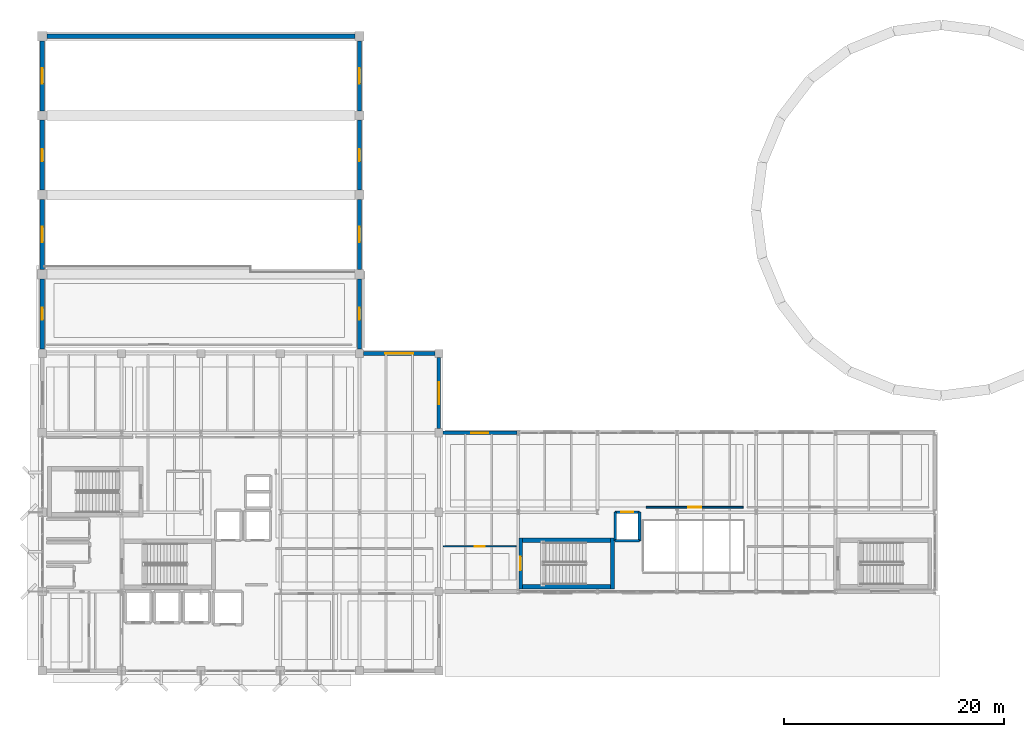
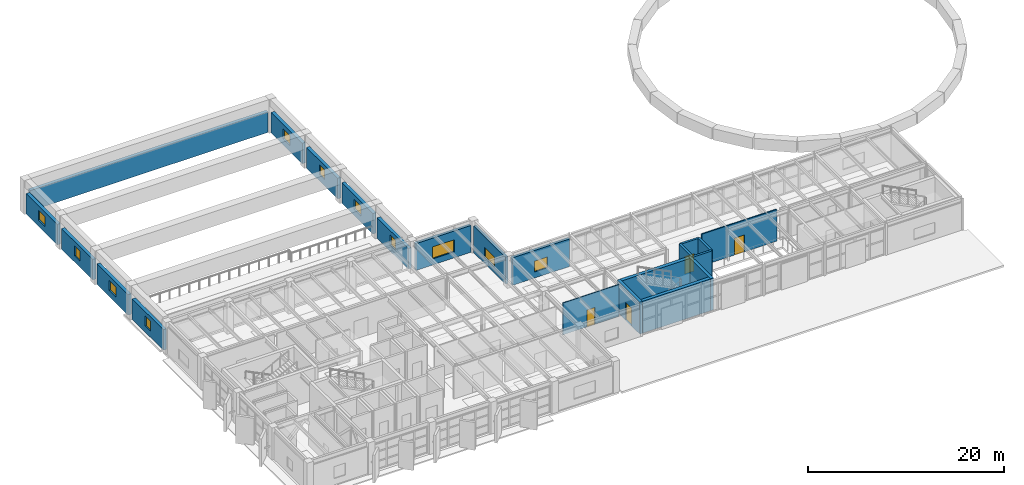
# One storey, part 27 of 37: 22 walls, 11 windows, 4 doors, 15 openings.
"""IFC4 building model written with IfcOpenShell, lengths in metres."""

import ifcopenshell
import ifcopenshell.guid

model = None  # the IFC model being written
_history = None  # IfcOwnerHistory: only IFC2X3 demands one
_inside = {}  # id of a spatial element -> (the spatial element, [elements in it])
_under = {}  # id of a project, library or spatial element -> (it, [spatial elements below it])
_declared = {}  # id of a project -> (the project, [libraries it declares])
_typed = {}  # id of a type object -> (the type object, [elements of that type])
_made_of = {}  # id of a material, layer set ... -> (it, [elements and type objects made of it])


def new_model(schema):
    """Start an empty IFC model of exactly this schema.

    Asked for "IFC4X3", IfcOpenShell would pick the latest addendum, in which some entities
    have other attributes; the version numbers below select the first issue.
    IFC2X3 requires an IfcOwnerHistory on every rooted entity: one is made here for all.
    """
    global model, _history
    if schema == "IFC4X3":
        model = ifcopenshell.file(schema_version=(4, 3, 0, 0))
    else:
        model = ifcopenshell.file(schema=schema)
    _inside.clear()
    _under.clear()
    _declared.clear()
    _typed.clear()
    _made_of.clear()
    _history = None
    if model.schema == "IFC2X3":
        org = make("IfcOrganization", Name="unknown")
        user = make(
            "IfcPersonAndOrganization",
            ThePerson=make("IfcPerson", FamilyName="unknown"),
            TheOrganization=org,
        )
        app = make(
            "IfcApplication",
            ApplicationDeveloper=org,
            Version="unknown",
            ApplicationFullName="unknown",
            ApplicationIdentifier="unknown",
        )
        _history = make(
            "IfcOwnerHistory",
            OwningUser=user,
            OwningApplication=app,
            ChangeAction="ADDED",
            CreationDate=0,
        )
    return model


def make(cls, **values):
    """One entity of the class cls with the attributes given. An attribute that is None is left unset."""
    return model.create_entity(
        cls, **{name: value for name, value in values.items() if value is not None}
    )


def rooted(cls, **values):
    """An entity with a GlobalId (a new one), such as an element, a storey or a relation."""
    return make(cls, GlobalId=ifcopenshell.guid.new(), OwnerHistory=_history, **values)


def si_unit(unit_type, name, prefix=None):
    """IfcSIUnit, for example si_unit("LENGTHUNIT", "METRE", prefix="MILLI")."""
    return make("IfcSIUnit", UnitType=unit_type, Prefix=prefix, Name=name)


def assignment(units):
    """IfcUnitAssignment: the units of a project."""
    return None if units is None else make("IfcUnitAssignment", Units=units)


def point(xyz):
    """IfcCartesianPoint."""
    return None if xyz is None else make("IfcCartesianPoint", Coordinates=xyz)


def direction(xyz):
    """IfcDirection."""
    return None if xyz is None else make("IfcDirection", DirectionRatios=xyz)


def frame(location, z_axis=None, x_axis=None):
    """IfcAxis2Placement3D, a coordinate frame: its origin and axes. An axis left out is left unset."""
    return make(
        "IfcAxis2Placement3D",
        Location=point(location),
        Axis=direction(z_axis),
        RefDirection=direction(x_axis),
    )


def frame_2d(location, x_axis=None):
    """IfcAxis2Placement2D, a coordinate frame in the plane: its origin and x axis."""
    return make(
        "IfcAxis2Placement2D", Location=point(location), RefDirection=direction(x_axis)
    )


def origin():
    """The frame at (0, 0, 0) with its axes left unset."""
    return frame((0.0, 0.0, 0.0))


def place(relative_to, where):
    """IfcLocalPlacement: puts the frame where relative to a parent placement (None: the world)."""
    return make(
        "IfcLocalPlacement", PlacementRelTo=relative_to, RelativePlacement=where
    )


def context(
    kind, dimensions, precision=None, world=None, true_north=None, identifier=None
):
    """IfcGeometricRepresentationContext, for example the 3D "Model" context."""
    return make(
        "IfcGeometricRepresentationContext",
        ContextIdentifier=identifier,
        ContextType=kind,
        CoordinateSpaceDimension=dimensions,
        Precision=precision,
        WorldCoordinateSystem=world,
        TrueNorth=true_north,
    )


def subcontext(parent, identifier, kind, view, scale=None):
    """IfcGeometricRepresentationSubContext, for example "Body" below "Model"."""
    return make(
        "IfcGeometricRepresentationSubContext",
        ContextIdentifier=identifier,
        ContextType=kind,
        ParentContext=parent,
        TargetScale=scale,
        TargetView=view,
    )


def project(units=None, contexts=None):
    """IfcProject with its units and contexts."""
    return rooted(
        "IfcProject",
        Name="project",
        RepresentationContexts=contexts,
        UnitsInContext=assignment(units),
    )


def spatial(cls, under=None, at=None, **own):
    """A site, building, storey or space (cls), placed at a placement, below another one or the project."""
    s = rooted(cls, ObjectPlacement=at, **own)
    if under is not None:
        _under.setdefault(under.id(), (under, []))[1].append(s)
    return s


def profile(cls, at=None, kind="AREA", **sizes):
    """A parametric profile (cls). Its sizes go by their IFC names, for example OverallWidth=200.0."""
    return make(cls, ProfileType=kind, Position=at, **sizes)


def rectangle(**sizes):
    """IfcRectangleProfileDef."""
    return profile("IfcRectangleProfileDef", **sizes)


def extrude(swept, where, along, depth):
    """IfcExtrudedAreaSolid: the profile swept, set in the frame where, extruded along a direction by depth."""
    return make(
        "IfcExtrudedAreaSolid",
        SweptArea=swept,
        Position=where,
        ExtrudedDirection=direction(along),
        Depth=depth,
    )


def shape(context_of_items, identifier, shape_type, items):
    """IfcShapeRepresentation: the items that make up one representation, for example the "Body"."""
    return make(
        "IfcShapeRepresentation",
        ContextOfItems=context_of_items,
        RepresentationIdentifier=identifier,
        RepresentationType=shape_type,
        Items=items,
    )


def material(Name=None, Category=None):
    """IfcMaterial."""
    return make("IfcMaterial", Name=Name, Category=Category)


def layer(
    of_material, thickness, ventilated=None, Name=None, Category=None, Priority=None
):
    """IfcMaterialLayer: one layer of a wall or slab, of a material (None: an air gap)."""
    return make(
        "IfcMaterialLayer",
        Material=of_material,
        LayerThickness=thickness,
        IsVentilated=ventilated,
        Name=Name,
        Category=Category,
        Priority=Priority,
    )


def layer_set(layers, Name=None):
    """IfcMaterialLayerSet."""
    return make("IfcMaterialLayerSet", MaterialLayers=layers, LayerSetName=Name)


def made_of(thing, what):
    """Note that an element or type object is made of a material, layer set ...; save() writes the relation."""
    if what is not None:
        _made_of.setdefault(what.id(), (what, []))[1].append(thing)
    return thing


def type_object(cls, material=None, **own):
    """A type object (cls), such as IfcWallType, which elements share."""
    return made_of(rooted(cls, **own), material)


def element(
    cls,
    number,
    at=None,
    inside=None,
    cuts=None,
    type_object=None,
    material=None,
    context=None,
    identifier="Body",
    shape_type=None,
    held_by="IfcProductDefinitionShape",
    body=None,
    shapes=None,
    **own,
):
    """One element of the class cls, such as IfcWall. Its Tag is "e" and its number.

    at: its placement. inside: the storey or other place that contains it. cuts: it is an
    opening in that element (IfcRelVoidsElement). A single representation is given by context,
    identifier, shape_type and body (its items); several are given by shapes. held_by: the class
    of the entity that holds the representations. save() writes the other relations.
    """
    e = rooted(cls, Tag="e%d" % number, ObjectPlacement=at, **own)
    if body is not None:
        shapes = [shape(context, identifier, shape_type, body)]
    if shapes is not None:
        e.Representation = make(held_by, Representations=shapes)
    if inside is not None:
        _inside.setdefault(inside.id(), (inside, []))[1].append(e)
    if cuts is not None:
        rooted(
            "IfcRelVoidsElement", RelatingBuildingElement=cuts, RelatedOpeningElement=e
        )
    if type_object is not None:
        _typed.setdefault(type_object.id(), (type_object, []))[1].append(e)
    return made_of(e, material)


def fill(opening, filler):
    """IfcRelFillsElement: the door or window that sits in an opening."""
    return rooted(
        "IfcRelFillsElement",
        RelatingOpeningElement=opening,
        RelatedBuildingElement=filler,
    )


def aggregate(whole, parts):
    """IfcRelAggregates: a whole, such as a stair, and the parts it consists of."""
    return rooted("IfcRelAggregates", RelatingObject=whole, RelatedObjects=parts)


def save(model, path):
    """Write the relations noted so far, then the file.

    IfcRelAggregates (storeys below a building ...), IfcRelContainedInSpatialStructure (elements
    in a storey), IfcRelDefinesByType, IfcRelAssociatesMaterial and IfcRelDeclares: one each for
    every whole, place, type object, material and project.
    """
    for whole, parts in _under.values():
        aggregate(whole, parts)
    for where, things in _inside.values():
        rooted(
            "IfcRelContainedInSpatialStructure",
            RelatedElements=things,
            RelatingStructure=where,
        )
    for kind, things in _typed.values():
        rooted("IfcRelDefinesByType", RelatedObjects=things, RelatingType=kind)
    for what, things in _made_of.values():
        rooted("IfcRelAssociatesMaterial", RelatedObjects=things, RelatingMaterial=what)
    for by, libraries in _declared.values():
        rooted("IfcRelDeclares", RelatingContext=by, RelatedDefinitions=libraries)
    model.write(path)


model = new_model("IFC4")

# Units and contexts
model_context = context("Model", 3, precision=1e-05, world=origin(), true_north=direction((0.0, 1.0)))
body_context = subcontext(model_context, "Body", "Model", "MODEL_VIEW")
ifc_project = project(units=[si_unit("LENGTHUNIT", "METRE"), si_unit("AREAUNIT", "SQUARE_METRE"), si_unit("VOLUMEUNIT", "CUBIC_METRE"), si_unit("PLANEANGLEUNIT", "RADIAN"), si_unit("MASSUNIT", "GRAM", prefix="KILO")], contexts=[model_context])

# Site, building, storey
site_placement = place(None, origin())
site = spatial("IfcSite", under=ifc_project, at=site_placement, CompositionType="ELEMENT")
building_placement = place(site_placement, origin())
building = spatial("IfcBuilding", under=site, at=building_placement, Name="Kandorven Conservatory and Botanical Research Centre", CompositionType="ELEMENT")
storey_placement = place(building_placement, frame((0.0, 0.0, 9.0)))
storey = spatial("IfcBuildingStorey", under=building, at=storey_placement, Name="L02", CompositionType="ELEMENT", Elevation=9.0)

# Walls
ifc_material_1 = material(Name="Concrete C40/50 (M50)", Category="concrete")
ifc_layer_1 = layer(ifc_material_1, 0.39990234375)
ifc_layer_set_1 = layer_set([ifc_layer_1], Name="Concrete C40/50 (M50)")
wall_type_1 = type_object("IfcWallType", Name="Wall_CW-RC-1", PredefinedType="SHEAR", material=ifc_layer_set_1)
for number, where, z_axis, x_axis, name in (
    (1, (49.60009765625, 13.64501953125, 0.0), (0.0, 0.0, 1.0), (1.0, 0.0, 0.0), "Core stair shear wall CW-RC-1 ST-V3A L02 side A"),
    (2, (49.60009765625, 17.844970703125, 0.0), (0.0, 0.0, 1.0), (1.0, 0.0, 0.0), "Core stair shear wall CW-RC-1 ST-V3A L02 side B"),
):
    element("IfcWall", number, at=place(storey_placement, frame(where, z_axis=z_axis, x_axis=x_axis)), inside=storey, type_object=wall_type_1, Name=name, PredefinedType="SHEAR", context=body_context, shape_type="SweptSolid", body=[
        extrude(rectangle(XDim=7.97998046875, YDim=0.39990234375, at=frame_2d((3.989990234375, 0.0))), origin(), (0.0, 0.0, 1.0), 3.9599609375),
    ])

# Wall, opening, door
ifc_material_2 = material(Name="Concrete C40/50 (M50)", Category="concrete")
ifc_layer_2 = layer(ifc_material_2, 0.35009765625)
ifc_layer_set_2 = layer_set([ifc_layer_2], Name="Concrete C40/50 (M50)")
wall_type_2 = type_object("IfcWallType", Name="Wall_CW-RC-2", PredefinedType="SHEAR", material=ifc_layer_set_2)
wall_1_placement = place(storey_placement, frame((49.425048828125, 13.449951171875, 0.0), z_axis=(0.0, 0.0, 1.0), x_axis=(0.0, 1.0, 0.0)))
wall_1 = element("IfcWall", 3, at=wall_1_placement, inside=storey, type_object=wall_type_2, Name="Core stair shear wall CW-RC-2 ST-V3A L02 entry", PredefinedType="SHEAR", context=body_context, shape_type="SweptSolid", body=[
    extrude(rectangle(XDim=4.590087890625, YDim=0.35009765625, at=frame_2d((2.294921875, 0.0))), origin(), (0.0, 0.0, 1.0), 3.9599609375),
])
opening_1_placement = place(wall_1_placement, frame((1.669921875, 0.0, 0.0)))
opening_1 = element("IfcOpeningElement", 4, at=opening_1_placement, cuts=wall_1, Name="Opening FD-1", PredefinedType="OPENING", context=body_context, shape_type="SweptSolid", body=[
    extrude(rectangle(XDim=1.25, YDim=2.199951171875, at=frame_2d((0.625, 1.10009765625))), frame((0.0, 0.18505859375, 0.0), z_axis=(0.0, -1.0, 0.0), x_axis=(1.0, 0.0, 0.0)), (0.0, 0.0, 1.0), 0.3701171875),
])
ifc_material_3 = material(Name="Galvanised hollow steel fire door assembly", Category="steel")
door_type_1 = type_object("IfcDoorType", Name="Door_FD-1", OperationType="NOTDEFINED", PredefinedType="DOOR", material=ifc_material_3)
door_1_placement = place(opening_1_placement, origin())
door_1 = element("IfcDoor", 5, at=door_1_placement, inside=storey, type_object=door_type_1, Name="Exit stair fire door FD-1 ST-V3A L02", OperationType="SINGLE_SWING_LEFT", OverallHeight=2.199951171875, OverallWidth=1.25, PredefinedType="DOOR", context=body_context, shape_type="SweptSolid", body=[
    extrude(rectangle(XDim=1.25, YDim=2.199951171875, at=frame_2d((0.625, 1.10009765625))), frame((0.0, 0.02490234375, 0.0), z_axis=(0.0, -1.0, 0.0), x_axis=(1.0, 0.0, 0.0)), (0.0, 0.0, 1.0), 0.050048828125),
])
fill(opening_1, door_1)

# Walls
wall_2_placement = place(storey_placement, frame((57.7548828125, 13.449951171875, 0.0), z_axis=(0.0, 0.0, 1.0), x_axis=(0.0, 1.0, 0.0)))
element("IfcWall", 6, at=wall_2_placement, inside=storey, type_object=wall_type_2, Name="Core stair shear wall CW-RC-2 ST-V3A L02 far", PredefinedType="SHEAR", context=body_context, shape_type="SweptSolid", body=[
    extrude(rectangle(XDim=4.590087890625, YDim=0.35009765625, at=frame_2d((2.294921875, 0.0))), origin(), (0.0, 0.0, 1.0), 3.9599609375),
])
wall_3_placement = place(storey_placement, frame((58.0, 17.800048828125, 0.0), z_axis=(0.0, 0.0, 1.0), x_axis=(1.0, 0.0, 0.0)))
element("IfcWall", 7, at=wall_3_placement, inside=storey, type_object=wall_type_2, Name="Lift shaft wall VL-1 L02 S", PredefinedType="SHEAR", context=body_context, shape_type="SweptSolid", body=[
    extrude(rectangle(XDim=2.199951171875, YDim=0.25, at=frame_2d((1.10009765625, 0.0))), origin(), (0.0, 0.0, 1.0), 3.9599609375),
])

# Wall, opening, door
wall_4_placement = place(storey_placement, frame((58.0, 20.39990234375, 0.0), z_axis=(0.0, 0.0, 1.0), x_axis=(1.0, 0.0, 0.0)))
wall_4 = element("IfcWall", 8, at=wall_4_placement, inside=storey, type_object=wall_type_2, Name="Lift shaft wall VL-1 L02 N", PredefinedType="SHEAR", context=body_context, shape_type="SweptSolid", body=[
    extrude(rectangle(XDim=2.199951171875, YDim=0.25, at=frame_2d((1.10009765625, 0.0))), origin(), (0.0, 0.0, 1.0), 3.9599609375),
])
opening_2_placement = place(wall_4_placement, frame((0.550048828125, 0.0, 0.0)))
opening_2 = element("IfcOpeningElement", 9, at=opening_2_placement, cuts=wall_4, Name="Opening LD-01", PredefinedType="OPENING", context=body_context, shape_type="SweptSolid", body=[
    extrude(rectangle(XDim=1.10009765625, YDim=2.199951171875, at=frame_2d((0.550048828125, 1.10009765625))), frame((0.0, 0.135009765625, 0.0), z_axis=(0.0, -1.0, 0.0), x_axis=(1.0, 0.0, 0.0)), (0.0, 0.0, 1.0), 0.27001953125),
])
ifc_material_4 = material(Name="Anodised aluminium sliding landing door", Category="aluminium")
door_type_2 = type_object("IfcDoorType", Name="Door_LD-01", OperationType="DOUBLE_DOOR_SLIDING", PredefinedType="DOOR", material=ifc_material_4)
door_2_placement = place(opening_2_placement, origin())
door_2 = element("IfcDoor", 10, at=door_2_placement, inside=storey, type_object=door_type_2, Name="Lift landing sliding door LD-01 (VL-1 L02)", OperationType="DOUBLE_DOOR_SLIDING", OverallHeight=2.199951171875, OverallWidth=1.10009765625, PredefinedType="DOOR", context=body_context, shape_type="SweptSolid", body=[
    extrude(rectangle(XDim=1.10009765625, YDim=2.199951171875, at=frame_2d((0.550048828125, 1.10009765625))), frame((0.0, 0.02490234375, 0.0), z_axis=(0.0, -1.0, 0.0), x_axis=(1.0, 0.0, 0.0)), (0.0, 0.0, 1.0), 0.050048828125),
])
fill(opening_2, door_2)

# Walls
for number, where, z_axis, x_axis, name in (
    (11, (58.0, 17.800048828125, 0.0), (0.0, 0.0, 1.0), (0.0, 1.0, 0.0), "Lift shaft wall VL-1 L02 W"),
    (12, (60.199951171875, 17.800048828125, 0.0), (0.0, 0.0, 1.0), (0.0, 1.0, 0.0), "Lift shaft wall VL-1 L02 E"),
):
    element("IfcWall", number, at=place(storey_placement, frame(where, z_axis=z_axis, x_axis=x_axis)), inside=storey, type_object=wall_type_2, Name=name, PredefinedType="SHEAR", context=body_context, shape_type="SweptSolid", body=[
        extrude(rectangle(XDim=2.599853515625, YDim=0.25, at=frame_2d((1.2998046875, 0.0))), origin(), (0.0, 0.0, 1.0), 3.9599609375),
    ])

# Wall, opening, window
ifc_material_5 = material(Name="Concrete C32/40 (M40)", Category="concrete")
ifc_layer_3 = layer(ifc_material_5, 0.340087890625)
ifc_layer_set_3 = layer_set([ifc_layer_3], Name="Concrete C32/40 (M40)")
wall_type_3 = type_object("IfcWallType", Name="Wall_EW-02", PredefinedType="STANDARD", material=ifc_layer_set_3)
wall_5_placement = place(storey_placement, frame((42.375, 27.60009765625, 0.0), z_axis=(0.0, 0.0, 1.0), x_axis=(1.0, 0.0, 0.0)))
wall_5 = element("IfcWall", 13, at=wall_5_placement, inside=storey, type_object=wall_type_3, Name="Visitor centre concrete wall EW-02 N L02", PredefinedType="STANDARD", context=body_context, shape_type="SweptSolid", body=[
    extrude(rectangle(XDim=6.699951171875, YDim=0.340087890625, at=frame_2d((3.35009765625, 0.0))), origin(), (0.0, 0.0, 1.0), 3.419921875),
])
opening_3_placement = place(wall_5_placement, frame((2.574951171875, 0.0, 0.75)))
opening_3 = element("IfcOpeningElement", 14, at=opening_3_placement, cuts=wall_5, Name="Opening W-33", PredefinedType="OPENING", context=body_context, shape_type="SweptSolid", body=[
    extrude(rectangle(XDim=1.550048828125, YDim=1.35009765625, at=frame_2d((0.77490234375, 0.675048828125))), frame((0.0, 0.179931640625, 0.0), z_axis=(0.0, -1.0, 0.0), x_axis=(1.0, 0.0, 0.0)), (0.0, 0.0, 1.0), 0.360107421875),
])
ifc_material_6 = material(Name="Double-glazed solar-control low-E glass", Category="glass")
window_type_1 = type_object("IfcWindowType", Name="Win_W-33", PartitioningType="DOUBLE_PANEL_VERTICAL", PredefinedType="WINDOW", material=ifc_material_6)
window_1_placement = place(opening_3_placement, origin())
window_1 = element("IfcWindow", 15, at=window_1_placement, inside=storey, type_object=window_type_1, Name="Visitor wing deep-reveal window W-33", OverallHeight=1.35009765625, OverallWidth=1.550048828125, PartitioningType="SINGLE_PANEL", PredefinedType="WINDOW", context=body_context, shape_type="SweptSolid", body=[
    extrude(rectangle(XDim=1.550048828125, YDim=1.35009765625, at=frame_2d((0.77490234375, 0.675048828125))), frame((0.0, 0.030029296875, 0.0), z_axis=(0.0, -1.0, 0.0), x_axis=(1.0, 0.0, 0.0)), (0.0, 0.0, 1.0), 0.06005859375),
])
fill(opening_3, window_1)

wall_6_placement = place(storey_placement, frame((35.175048828125, 34.800048828125, 0.0), z_axis=(0.0, 0.0, 1.0), x_axis=(1.0, 0.0, 0.0)))
wall_6 = element("IfcWall", 16, at=wall_6_placement, inside=storey, type_object=wall_type_3, Name="Tower concrete facade wall EW-02 N L02", PredefinedType="STANDARD", context=body_context, shape_type="SweptSolid", body=[
    extrude(rectangle(XDim=6.449951171875, YDim=0.340087890625, at=frame_2d((3.22509765625, 0.0))), origin(), (0.0, 0.0, 1.0), 3.340087890625),
])
opening_4_placement = place(wall_6_placement, frame((1.949951171875, 0.0, 0.75)))
opening_4 = element("IfcOpeningElement", 17, at=opening_4_placement, cuts=wall_6, Name="Opening W-44", PredefinedType="OPENING", context=body_context, shape_type="SweptSolid", body=[
    extrude(rectangle(XDim=2.550048828125, YDim=1.5, at=frame_2d((1.27490234375, 0.75))), frame((0.0, 0.179931640625, 0.0), z_axis=(0.0, -1.0, 0.0), x_axis=(1.0, 0.0, 0.0)), (0.0, 0.0, 1.0), 0.360107421875),
])
ifc_material_7 = material(Name="Double-glazed solar-control low-E glass", Category="glass")
window_type_2 = type_object("IfcWindowType", Name="Win_W-44", PartitioningType="DOUBLE_PANEL_VERTICAL", PredefinedType="WINDOW", material=ifc_material_7)
window_2_placement = place(opening_4_placement, origin())
window_2 = element("IfcWindow", 18, at=window_2_placement, inside=storey, type_object=window_type_2, Name="Tower recessed solar window W-44", OverallHeight=1.5, OverallWidth=2.550048828125, PartitioningType="SINGLE_PANEL", PredefinedType="WINDOW", context=body_context, shape_type="SweptSolid", body=[
    extrude(rectangle(XDim=2.550048828125, YDim=1.5, at=frame_2d((1.27490234375, 0.75))), frame((0.0, 0.030029296875, 0.0), z_axis=(0.0, -1.0, 0.0), x_axis=(1.0, 0.0, 0.0)), (0.0, 0.0, 1.0), 0.06005859375),
])
fill(opening_4, window_2)

ifc_material_8 = material(Name="Concrete C32/40 (M40)", Category="concrete")
ifc_layer_4 = layer(ifc_material_8, 0.320068359375)
ifc_layer_set_4 = layer_set([ifc_layer_4], Name="Concrete C32/40 (M40)")
wall_type_4 = type_object("IfcWallType", Name="Wall_EW-03", PredefinedType="STANDARD", material=ifc_layer_set_4)
wall_7_placement = place(storey_placement, frame((42.0, 27.97509765625, 0.0), z_axis=(0.0, 0.0, 1.0), x_axis=(0.0, 1.0, 0.0)))
wall_7 = element("IfcWall", 19, at=wall_7_placement, inside=storey, type_object=wall_type_4, Name="Tower concrete facade wall EW-03 E L02", PredefinedType="STANDARD", context=body_context, shape_type="SweptSolid", body=[
    extrude(rectangle(XDim=6.449951171875, YDim=0.320068359375, at=frame_2d((3.22509765625, 0.0))), origin(), (0.0, 0.0, 1.0), 3.340087890625),
])
opening_5_placement = place(wall_7_placement, frame((2.22509765625, 0.0, 0.75)))
opening_5 = element("IfcOpeningElement", 20, at=opening_5_placement, cuts=wall_7, Name="Opening W-48", PredefinedType="OPENING", context=body_context, shape_type="SweptSolid", body=[
    extrude(rectangle(XDim=2.0, YDim=1.25, at=frame_2d((1.0, 0.625))), frame((0.0, 0.169921875, 0.0), z_axis=(0.0, -1.0, 0.0), x_axis=(1.0, 0.0, 0.0)), (0.0, 0.0, 1.0), 0.340087890625),
])
ifc_material_9 = material(Name="Double-glazed solar-control low-E glass", Category="glass")
window_type_3 = type_object("IfcWindowType", Name="Win_W-48", PartitioningType="DOUBLE_PANEL_VERTICAL", PredefinedType="WINDOW", material=ifc_material_9)
window_3_placement = place(opening_5_placement, origin())
window_3 = element("IfcWindow", 21, at=window_3_placement, inside=storey, type_object=window_type_3, Name="Tower recessed solar window W-48", OverallHeight=1.25, OverallWidth=2.0, PartitioningType="SINGLE_PANEL", PredefinedType="WINDOW", context=body_context, shape_type="SweptSolid", body=[
    extrude(rectangle(XDim=2.0, YDim=1.25, at=frame_2d((1.0, 0.625))), frame((0.0, 0.030029296875, 0.0), z_axis=(0.0, -1.0, 0.0), x_axis=(1.0, 0.0, 0.0)), (0.0, 0.0, 1.0), 0.06005859375),
])
fill(opening_5, window_3)

ifc_material_10 = material(Name="Concrete C40/50 (M50)", Category="concrete")
ifc_layer_5 = layer(ifc_material_10, 0.3798828125)
ifc_layer_set_5 = layer_set([ifc_layer_5], Name="Concrete C40/50 (M50)")
wall_type_5 = type_object("IfcWallType", Name="Wall_EW-AU-01", PredefinedType="STANDARD", material=ifc_layer_set_5)
wall_8_placement = place(storey_placement, frame((6.0, 35.22509765625, 0.0), z_axis=(0.0, 0.0, 1.0), x_axis=(0.0, 1.0, 0.0)))
wall_8 = element("IfcWall", 22, at=wall_8_placement, inside=storey, type_object=wall_type_5, Name="Auditorium sculpted concrete wall W L02 bay 1", PredefinedType="STANDARD", context=body_context, shape_type="SweptSolid", body=[
    extrude(rectangle(XDim=6.349853515625, YDim=0.3798828125, at=frame_2d((3.1748046875, 0.0))), origin(), (0.0, 0.0, 1.0), 2.550048828125),
])
opening_6_placement = place(wall_8_placement, frame((2.625, 0.0, 0.75)))
opening_6 = element("IfcOpeningElement", 23, at=opening_6_placement, cuts=wall_8, Name="Opening W-45", PredefinedType="OPENING", context=body_context, shape_type="SweptSolid", body=[
    extrude(rectangle(XDim=1.10009765625, YDim=1.25, at=frame_2d((0.550048828125, 0.625))), frame((0.0, 0.199951171875, 0.0), z_axis=(0.0, -1.0, 0.0), x_axis=(1.0, 0.0, 0.0)), (0.0, 0.0, 1.0), 0.39990234375),
])
ifc_material_11 = material(Name="Double-glazed solar-control low-E glass", Category="glass")
window_type_4 = type_object("IfcWindowType", Name="Win_W-45", PartitioningType="DOUBLE_PANEL_VERTICAL", PredefinedType="WINDOW", material=ifc_material_11)
window_4_placement = place(opening_6_placement, origin())
window_4 = element("IfcWindow", 24, at=window_4_placement, inside=storey, type_object=window_type_4, Name="Auditorium vertical slot window W-45", OverallHeight=1.25, OverallWidth=1.10009765625, PartitioningType="SINGLE_PANEL", PredefinedType="WINDOW", context=body_context, shape_type="SweptSolid", body=[
    extrude(rectangle(XDim=1.10009765625, YDim=1.25, at=frame_2d((0.550048828125, 0.625))), frame((0.0, 0.030029296875, 0.0), z_axis=(0.0, -1.0, 0.0), x_axis=(1.0, 0.0, 0.0)), (0.0, 0.0, 1.0), 0.06005859375),
])
fill(opening_6, window_4)

wall_9_placement = place(storey_placement, frame((6.0, 42.425048828125, 0.0), z_axis=(0.0, 0.0, 1.0), x_axis=(0.0, 1.0, 0.0)))
wall_9 = element("IfcWall", 25, at=wall_9_placement, inside=storey, type_object=wall_type_5, Name="Auditorium sculpted concrete wall W L02 bay 2", PredefinedType="STANDARD", context=body_context, shape_type="SweptSolid", body=[
    extrude(rectangle(XDim=6.349853515625, YDim=0.3798828125, at=frame_2d((3.1748046875, 0.0))), origin(), (0.0, 0.0, 1.0), 2.550048828125),
])
opening_7_placement = place(wall_9_placement, frame((2.47509765625, 0.0, 0.75)))
opening_7 = element("IfcOpeningElement", 26, at=opening_7_placement, cuts=wall_9, Name="Opening W-46", PredefinedType="OPENING", context=body_context, shape_type="SweptSolid", body=[
    extrude(rectangle(XDim=1.39990234375, YDim=1.25, at=frame_2d((0.699951171875, 0.625))), frame((0.0, 0.199951171875, 0.0), z_axis=(0.0, -1.0, 0.0), x_axis=(1.0, 0.0, 0.0)), (0.0, 0.0, 1.0), 0.39990234375),
])
ifc_material_12 = material(Name="Double-glazed solar-control low-E glass", Category="glass")
window_type_5 = type_object("IfcWindowType", Name="Win_W-46", PartitioningType="DOUBLE_PANEL_VERTICAL", PredefinedType="WINDOW", material=ifc_material_12)
window_5_placement = place(opening_7_placement, origin())
window_5 = element("IfcWindow", 27, at=window_5_placement, inside=storey, type_object=window_type_5, Name="Auditorium vertical slot window W-46", OverallHeight=1.25, OverallWidth=1.39990234375, PartitioningType="SINGLE_PANEL", PredefinedType="WINDOW", context=body_context, shape_type="SweptSolid", body=[
    extrude(rectangle(XDim=1.39990234375, YDim=1.25, at=frame_2d((0.699951171875, 0.625))), frame((0.0, 0.030029296875, 0.0), z_axis=(0.0, -1.0, 0.0), x_axis=(1.0, 0.0, 0.0)), (0.0, 0.0, 1.0), 0.06005859375),
])
fill(opening_7, window_5)

wall_10_placement = place(storey_placement, frame((6.0, 49.625, 0.0), z_axis=(0.0, 0.0, 1.0), x_axis=(0.0, 1.0, 0.0)))
wall_10 = element("IfcWall", 28, at=wall_10_placement, inside=storey, type_object=wall_type_5, Name="Auditorium sculpted concrete wall W L02 bay 3", PredefinedType="STANDARD", context=body_context, shape_type="SweptSolid", body=[
    extrude(rectangle(XDim=6.35009765625, YDim=0.3798828125, at=frame_2d((3.175048828125, 0.0))), origin(), (0.0, 0.0, 1.0), 2.550048828125),
])
opening_8_placement = place(wall_10_placement, frame((2.625, 0.0, 0.75)))
opening_8 = element("IfcOpeningElement", 29, at=opening_8_placement, cuts=wall_10, Name="Opening W-45", PredefinedType="OPENING", context=body_context, shape_type="SweptSolid", body=[
    extrude(rectangle(XDim=1.10009765625, YDim=1.25, at=frame_2d((0.550048828125, 0.625))), frame((0.0, 0.199951171875, 0.0), z_axis=(0.0, -1.0, 0.0), x_axis=(1.0, 0.0, 0.0)), (0.0, 0.0, 1.0), 0.39990234375),
])
window_6_placement = place(opening_8_placement, origin())
window_6 = element("IfcWindow", 30, at=window_6_placement, inside=storey, type_object=window_type_4, Name="Auditorium vertical slot window W-45", OverallHeight=1.25, OverallWidth=1.10009765625, PartitioningType="SINGLE_PANEL", PredefinedType="WINDOW", context=body_context, shape_type="SweptSolid", body=[
    extrude(rectangle(XDim=1.10009765625, YDim=1.25, at=frame_2d((0.550048828125, 0.625))), frame((0.0, 0.030029296875, 0.0), z_axis=(0.0, -1.0, 0.0), x_axis=(1.0, 0.0, 0.0)), (0.0, 0.0, 1.0), 0.06005859375),
])
fill(opening_8, window_6)

wall_11_placement = place(storey_placement, frame((6.0, 56.824951171875, 0.0), z_axis=(0.0, 0.0, 1.0), x_axis=(0.0, 1.0, 0.0)))
wall_11 = element("IfcWall", 31, at=wall_11_placement, inside=storey, type_object=wall_type_5, Name="Auditorium sculpted concrete wall W L02 bay 4", PredefinedType="STANDARD", context=body_context, shape_type="SweptSolid", body=[
    extrude(rectangle(XDim=6.35009765625, YDim=0.3798828125, at=frame_2d((3.175048828125, 0.0))), origin(), (0.0, 0.0, 1.0), 2.550048828125),
])
opening_9_placement = place(wall_11_placement, frame((2.47509765625, 0.0, 0.75)))
opening_9 = element("IfcOpeningElement", 32, at=opening_9_placement, cuts=wall_11, Name="Opening W-46", PredefinedType="OPENING", context=body_context, shape_type="SweptSolid", body=[
    extrude(rectangle(XDim=1.39990234375, YDim=1.25, at=frame_2d((0.699951171875, 0.625))), frame((0.0, 0.199951171875, 0.0), z_axis=(0.0, -1.0, 0.0), x_axis=(1.0, 0.0, 0.0)), (0.0, 0.0, 1.0), 0.39990234375),
])
window_7_placement = place(opening_9_placement, origin())
window_7 = element("IfcWindow", 33, at=window_7_placement, inside=storey, type_object=window_type_5, Name="Auditorium vertical slot window W-46", OverallHeight=1.25, OverallWidth=1.39990234375, PartitioningType="SINGLE_PANEL", PredefinedType="WINDOW", context=body_context, shape_type="SweptSolid", body=[
    extrude(rectangle(XDim=1.39990234375, YDim=1.25, at=frame_2d((0.699951171875, 0.625))), frame((0.0, 0.030029296875, 0.0), z_axis=(0.0, -1.0, 0.0), x_axis=(1.0, 0.0, 0.0)), (0.0, 0.0, 1.0), 0.06005859375),
])
fill(opening_9, window_7)

wall_12_placement = place(storey_placement, frame((34.800048828125, 35.22509765625, 0.0), z_axis=(0.0, 0.0, 1.0), x_axis=(0.0, 1.0, 0.0)))
wall_12 = element("IfcWall", 34, at=wall_12_placement, inside=storey, type_object=wall_type_5, Name="Auditorium sculpted concrete wall E L02 bay 1", PredefinedType="STANDARD", context=body_context, shape_type="SweptSolid", body=[
    extrude(rectangle(XDim=6.349853515625, YDim=0.3798828125, at=frame_2d((3.1748046875, 0.0))), origin(), (0.0, 0.0, 1.0), 2.550048828125),
])
opening_10_placement = place(wall_12_placement, frame((2.625, 0.0, 0.75)))
opening_10 = element("IfcOpeningElement", 35, at=opening_10_placement, cuts=wall_12, Name="Opening W-45", PredefinedType="OPENING", context=body_context, shape_type="SweptSolid", body=[
    extrude(rectangle(XDim=1.10009765625, YDim=1.25, at=frame_2d((0.550048828125, 0.625))), frame((0.0, 0.199951171875, 0.0), z_axis=(0.0, -1.0, 0.0), x_axis=(1.0, 0.0, 0.0)), (0.0, 0.0, 1.0), 0.39990234375),
])
window_8_placement = place(opening_10_placement, origin())
window_8 = element("IfcWindow", 36, at=window_8_placement, inside=storey, type_object=window_type_4, Name="Auditorium vertical slot window W-45", OverallHeight=1.25, OverallWidth=1.10009765625, PartitioningType="SINGLE_PANEL", PredefinedType="WINDOW", context=body_context, shape_type="SweptSolid", body=[
    extrude(rectangle(XDim=1.10009765625, YDim=1.25, at=frame_2d((0.550048828125, 0.625))), frame((0.0, 0.030029296875, 0.0), z_axis=(0.0, -1.0, 0.0), x_axis=(1.0, 0.0, 0.0)), (0.0, 0.0, 1.0), 0.06005859375),
])
fill(opening_10, window_8)

wall_13_placement = place(storey_placement, frame((34.800048828125, 42.425048828125, 0.0), z_axis=(0.0, 0.0, 1.0), x_axis=(0.0, 1.0, 0.0)))
wall_13 = element("IfcWall", 37, at=wall_13_placement, inside=storey, type_object=wall_type_5, Name="Auditorium sculpted concrete wall E L02 bay 2", PredefinedType="STANDARD", context=body_context, shape_type="SweptSolid", body=[
    extrude(rectangle(XDim=6.349853515625, YDim=0.3798828125, at=frame_2d((3.1748046875, 0.0))), origin(), (0.0, 0.0, 1.0), 2.550048828125),
])
opening_11_placement = place(wall_13_placement, frame((2.47509765625, 0.0, 0.75)))
opening_11 = element("IfcOpeningElement", 38, at=opening_11_placement, cuts=wall_13, Name="Opening W-46", PredefinedType="OPENING", context=body_context, shape_type="SweptSolid", body=[
    extrude(rectangle(XDim=1.39990234375, YDim=1.25, at=frame_2d((0.699951171875, 0.625))), frame((0.0, 0.199951171875, 0.0), z_axis=(0.0, -1.0, 0.0), x_axis=(1.0, 0.0, 0.0)), (0.0, 0.0, 1.0), 0.39990234375),
])
window_9_placement = place(opening_11_placement, origin())
window_9 = element("IfcWindow", 39, at=window_9_placement, inside=storey, type_object=window_type_5, Name="Auditorium vertical slot window W-46", OverallHeight=1.25, OverallWidth=1.39990234375, PartitioningType="SINGLE_PANEL", PredefinedType="WINDOW", context=body_context, shape_type="SweptSolid", body=[
    extrude(rectangle(XDim=1.39990234375, YDim=1.25, at=frame_2d((0.699951171875, 0.625))), frame((0.0, 0.030029296875, 0.0), z_axis=(0.0, -1.0, 0.0), x_axis=(1.0, 0.0, 0.0)), (0.0, 0.0, 1.0), 0.06005859375),
])
fill(opening_11, window_9)

wall_14_placement = place(storey_placement, frame((34.800048828125, 49.625, 0.0), z_axis=(0.0, 0.0, 1.0), x_axis=(0.0, 1.0, 0.0)))
wall_14 = element("IfcWall", 40, at=wall_14_placement, inside=storey, type_object=wall_type_5, Name="Auditorium sculpted concrete wall E L02 bay 3", PredefinedType="STANDARD", context=body_context, shape_type="SweptSolid", body=[
    extrude(rectangle(XDim=6.35009765625, YDim=0.3798828125, at=frame_2d((3.175048828125, 0.0))), origin(), (0.0, 0.0, 1.0), 2.550048828125),
])
opening_12_placement = place(wall_14_placement, frame((2.625, 0.0, 0.75)))
opening_12 = element("IfcOpeningElement", 41, at=opening_12_placement, cuts=wall_14, Name="Opening W-45", PredefinedType="OPENING", context=body_context, shape_type="SweptSolid", body=[
    extrude(rectangle(XDim=1.10009765625, YDim=1.25, at=frame_2d((0.550048828125, 0.625))), frame((0.0, 0.199951171875, 0.0), z_axis=(0.0, -1.0, 0.0), x_axis=(1.0, 0.0, 0.0)), (0.0, 0.0, 1.0), 0.39990234375),
])
window_10_placement = place(opening_12_placement, origin())
window_10 = element("IfcWindow", 42, at=window_10_placement, inside=storey, type_object=window_type_4, Name="Auditorium vertical slot window W-45", OverallHeight=1.25, OverallWidth=1.10009765625, PartitioningType="SINGLE_PANEL", PredefinedType="WINDOW", context=body_context, shape_type="SweptSolid", body=[
    extrude(rectangle(XDim=1.10009765625, YDim=1.25, at=frame_2d((0.550048828125, 0.625))), frame((0.0, 0.030029296875, 0.0), z_axis=(0.0, -1.0, 0.0), x_axis=(1.0, 0.0, 0.0)), (0.0, 0.0, 1.0), 0.06005859375),
])
fill(opening_12, window_10)

wall_15_placement = place(storey_placement, frame((34.800048828125, 56.824951171875, 0.0), z_axis=(0.0, 0.0, 1.0), x_axis=(0.0, 1.0, 0.0)))
wall_15 = element("IfcWall", 43, at=wall_15_placement, inside=storey, type_object=wall_type_5, Name="Auditorium sculpted concrete wall E L02 bay 4", PredefinedType="STANDARD", context=body_context, shape_type="SweptSolid", body=[
    extrude(rectangle(XDim=6.35009765625, YDim=0.3798828125, at=frame_2d((3.175048828125, 0.0))), origin(), (0.0, 0.0, 1.0), 2.550048828125),
])
opening_13_placement = place(wall_15_placement, frame((2.47509765625, 0.0, 0.75)))
opening_13 = element("IfcOpeningElement", 44, at=opening_13_placement, cuts=wall_15, Name="Opening W-46", PredefinedType="OPENING", context=body_context, shape_type="SweptSolid", body=[
    extrude(rectangle(XDim=1.39990234375, YDim=1.25, at=frame_2d((0.699951171875, 0.625))), frame((0.0, 0.199951171875, 0.0), z_axis=(0.0, -1.0, 0.0), x_axis=(1.0, 0.0, 0.0)), (0.0, 0.0, 1.0), 0.39990234375),
])
window_11_placement = place(opening_13_placement, origin())
window_11 = element("IfcWindow", 45, at=window_11_placement, inside=storey, type_object=window_type_5, Name="Auditorium vertical slot window W-46", OverallHeight=1.25, OverallWidth=1.39990234375, PartitioningType="SINGLE_PANEL", PredefinedType="WINDOW", context=body_context, shape_type="SweptSolid", body=[
    extrude(rectangle(XDim=1.39990234375, YDim=1.25, at=frame_2d((0.699951171875, 0.625))), frame((0.0, 0.030029296875, 0.0), z_axis=(0.0, -1.0, 0.0), x_axis=(1.0, 0.0, 0.0)), (0.0, 0.0, 1.0), 0.06005859375),
])
fill(opening_13, window_11)

# Wall
wall_16_placement = place(storey_placement, frame((6.425048828125, 63.60009765625, 0.0), z_axis=(0.0, 0.0, 1.0), x_axis=(1.0, 0.0, 0.0)))
element("IfcWall", 46, at=wall_16_placement, inside=storey, type_object=wall_type_5, Name="Auditorium north stage concrete wall L02", PredefinedType="STANDARD", context=body_context, shape_type="SweptSolid", body=[
    extrude(rectangle(XDim=27.949951171875, YDim=0.3798828125, at=frame_2d((13.97509765625, 0.0))), origin(), (0.0, 0.0, 1.0), 2.550048828125),
])

# Wall, opening, door
ifc_material_13 = material(Name="Fire-rated acoustic gypsum board partition", Category="gypsum")
ifc_layer_6 = layer(ifc_material_13, 0.114013671875)
ifc_layer_set_6 = layer_set([ifc_layer_6], Name="Fire-rated acoustic gypsum board partition")
wall_type_6 = type_object("IfcWallType", Name="Wall_IW-12", PredefinedType="PARTITIONING", material=ifc_layer_set_6)
wall_17_placement = place(storey_placement, frame((42.39990234375, 17.300048828125, 0.0), z_axis=(0.0, 0.0, 1.0), x_axis=(1.0, 0.0, 0.0)))
wall_17 = element("IfcWall", 47, at=wall_17_placement, inside=storey, type_object=wall_type_6, Name="Interior partition wall IW-12 (Botanical Education Classroom 1)", PredefinedType="PARTITIONING", context=body_context, shape_type="SweptSolid", body=[
    extrude(rectangle(XDim=6.60009765625, YDim=0.114013671875, at=frame_2d((3.300048828125, 0.0))), origin(), (0.0, 0.0, 1.0), 3.93994140625),
])
opening_14_placement = place(wall_17_placement, frame((2.840087890625, 0.0, 0.0)))
opening_14 = element("IfcOpeningElement", 48, at=opening_14_placement, cuts=wall_17, Name="Opening D-11", PredefinedType="OPENING", context=body_context, shape_type="SweptSolid", body=[
    extrude(rectangle(XDim=0.919921875, YDim=2.10009765625, at=frame_2d((0.4599609375, 1.050048828125))), frame((0.0, 0.06689453125, 0.0), z_axis=(0.0, -1.0, 0.0), x_axis=(1.0, 0.0, 0.0)), (0.0, 0.0, 1.0), 0.134033203125),
])
ifc_material_14 = material(Name="Solid core acoustic teak-veneered timber leaf", Category="wood")
door_type_3 = type_object("IfcDoorType", Name="Door_D-11", OperationType="NOTDEFINED", PredefinedType="DOOR", material=ifc_material_14)
door_3_placement = place(opening_14_placement, frame((0.919921875, 0.0, 0.0), z_axis=(0.0, 0.0, 1.0), x_axis=(-1.0, 0.0, 0.0)))
door_3 = element("IfcDoor", 49, at=door_3_placement, inside=storey, type_object=door_type_3, Name="Interior door D-11 to Botanical Education Classroom 1", OperationType="SINGLE_SWING_LEFT", OverallHeight=2.10009765625, OverallWidth=0.919921875, PredefinedType="DOOR", context=body_context, shape_type="SweptSolid", body=[
    extrude(rectangle(XDim=0.919921875, YDim=2.10009765625, at=frame_2d((0.4599609375, 1.050048828125))), frame((0.0, 0.02490234375, 0.0), z_axis=(0.0, -1.0, 0.0), x_axis=(1.0, 0.0, 0.0)), (0.0, 0.0, 1.0), 0.050048828125),
])
fill(opening_14, door_3)

ifc_material_15 = material(Name="Fire-rated acoustic gypsum board partition", Category="gypsum")
ifc_layer_7 = layer(ifc_material_15, 0.14599609375)
ifc_layer_set_7 = layer_set([ifc_layer_7], Name="Fire-rated acoustic gypsum board partition")
wall_type_7 = type_object("IfcWallType", Name="Wall_IW-15", PredefinedType="PARTITIONING", material=ifc_layer_set_7)
wall_18_placement = place(storey_placement, frame((60.800048828125, 20.85009765625, 0.0), z_axis=(0.0, 0.0, 1.0), x_axis=(1.0, 0.0, 0.0)))
wall_18 = element("IfcWall", 50, at=wall_18_placement, inside=storey, type_object=wall_type_7, Name="Interior partition wall IW-15 (School Field-Botany Classroom 2)", PredefinedType="PARTITIONING", context=body_context, shape_type="SweptSolid", body=[
    extrude(rectangle(XDim=8.800048828125, YDim=0.14599609375, at=frame_2d((4.39990234375, 0.0))), origin(), (0.0, 0.0, 1.0), 3.93994140625),
])
opening_15_placement = place(wall_18_placement, frame((3.81005859375, 0.0, 0.0)))
opening_15 = element("IfcOpeningElement", 51, at=opening_15_placement, cuts=wall_18, Name="Opening D-14", PredefinedType="OPENING", context=body_context, shape_type="SweptSolid", body=[
    extrude(rectangle(XDim=1.179931640625, YDim=2.10009765625, at=frame_2d((0.58984375, 1.050048828125))), frame((0.0, 0.0830078125, 0.0), z_axis=(0.0, -1.0, 0.0), x_axis=(1.0, 0.0, 0.0)), (0.0, 0.0, 1.0), 0.166015625),
])
ifc_material_16 = material(Name="Solid core acoustic teak-veneered timber leaf", Category="wood")
door_type_4 = type_object("IfcDoorType", Name="Door_D-14", OperationType="NOTDEFINED", PredefinedType="DOOR", material=ifc_material_16)
door_4_placement = place(opening_15_placement, frame((1.179931640625, 0.0, 0.0), z_axis=(0.0, 0.0, 1.0), x_axis=(-1.0, 0.0, 0.0)))
door_4 = element("IfcDoor", 52, at=door_4_placement, inside=storey, type_object=door_type_4, Name="Interior door D-14 to School Field-Botany Classroom 2", OperationType="SINGLE_SWING_RIGHT", OverallHeight=2.10009765625, OverallWidth=1.179931640625, PredefinedType="DOOR", context=body_context, shape_type="SweptSolid", body=[
    extrude(rectangle(XDim=1.179931640625, YDim=2.10009765625, at=frame_2d((0.58984375, 1.050048828125))), frame((0.0, 0.02490234375, 0.0), z_axis=(0.0, -1.0, 0.0), x_axis=(1.0, 0.0, 0.0)), (0.0, 0.0, 1.0), 0.050048828125),
])
fill(opening_15, door_4)

save(model, "model.ifc")
